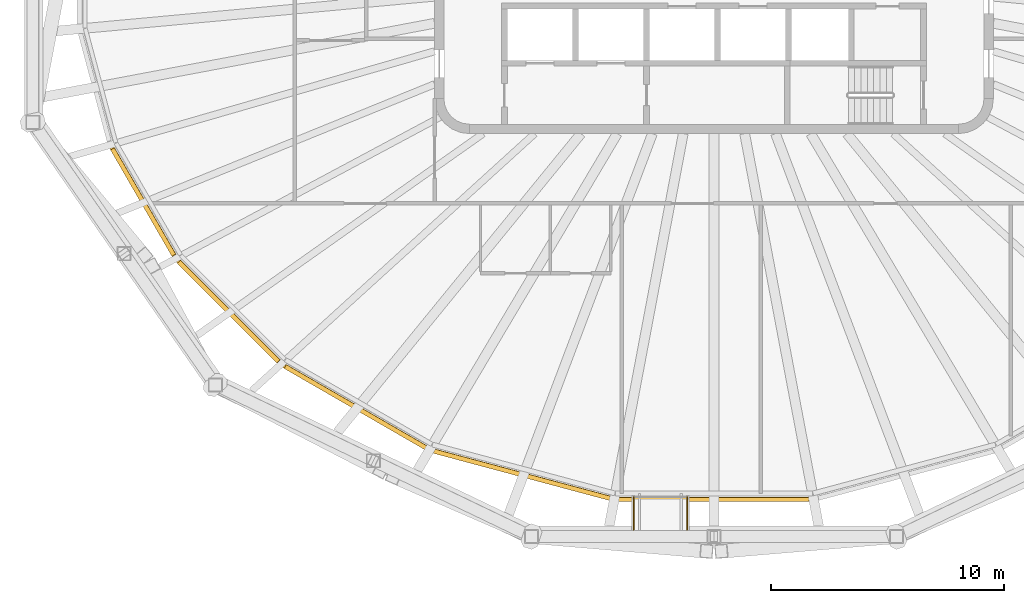
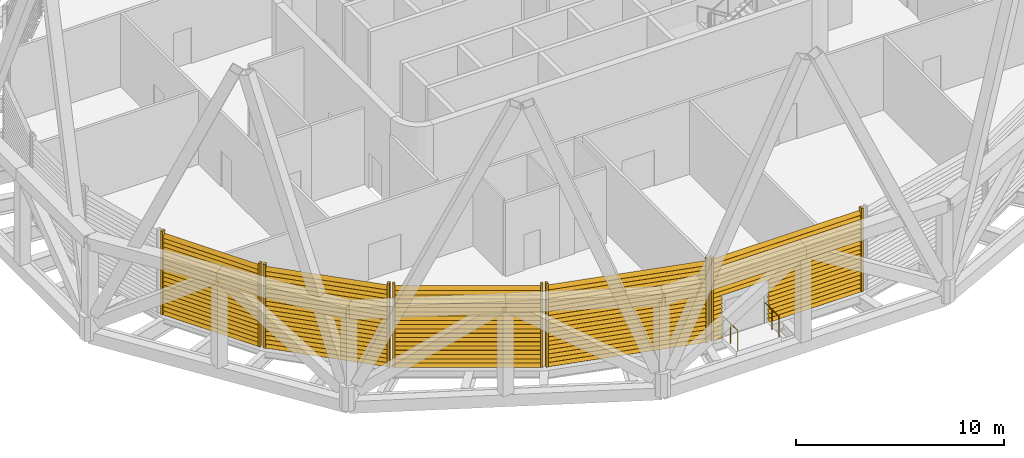
# One storey, part 11 of 16: 5 shading devices, 2 railings.
"""IFC4 building model written with IfcOpenShell, lengths in metres."""

from ifc_helpers import new_model, si_unit, direction, frame, origin, origin_2d, place, context, subcontext, project, spatial, rectangle, circle, extrude, material, type_object, element, save


model = new_model("IFC4")

# Units and contexts
model_context = context("Model", 3, precision=1e-05, world=origin(), true_north=direction((0.0, 1.0)))
body_context = subcontext(model_context, "Body", "Model", "MODEL_VIEW")
ifc_project = project(units=[si_unit("LENGTHUNIT", "METRE"), si_unit("AREAUNIT", "SQUARE_METRE"), si_unit("VOLUMEUNIT", "CUBIC_METRE"), si_unit("PLANEANGLEUNIT", "RADIAN"), si_unit("MASSUNIT", "GRAM", prefix="KILO")], contexts=[model_context])

# Site, building, storey
site_placement = place(None, origin())
site = spatial("IfcSite", under=ifc_project, at=site_placement, CompositionType="ELEMENT")
building_placement = place(site_placement, origin())
building = spatial("IfcBuilding", under=site, at=building_placement, Name="Sahrelin Media Tower", CompositionType="ELEMENT")
storey_placement = place(building_placement, frame((0.0, 0.0, 299.0)))
storey = spatial("IfcBuildingStorey", under=building, at=storey_placement, Name="L66", CompositionType="ELEMENT", Elevation=299.0)

# Railings
ifc_material_1 = material(Name="Stainless steel 316", Category="steel")
railing_type = type_object("IfcRailingType", Name="Maintenance platform guard", PredefinedType="GUARDRAIL", material=ifc_material_1)
for number, where, name in (
    (1, (-3.449951171875, -22.605224609375, 0.0), "Maintenance platform guard L66-18-A"),
    (2, (-1.14990234375, -22.605224609375, 0.0), "Maintenance platform guard L66-18-B"),
):
    element("IfcRailing", number, at=place(storey_placement, frame(where)), inside=storey, type_object=railing_type, Name=name, PredefinedType="GUARDRAIL", context=body_context, shape_type="SweptSolid", body=[
        extrude(circle(Radius=0.02392578125, at=origin_2d()), frame((0.0, 0.0, 1.17578125), z_axis=(0.0, -1.0, 0.0), x_axis=(1.0, 0.0, 0.0)), (0.0, 0.0, 1.0), 1.39794921875),
        extrude(circle(Radius=0.02099609375, at=origin_2d()), origin(), (0.0, 0.0, 1.0), 1.15185546875),
        extrude(circle(Radius=0.02099609375, at=origin_2d()), frame((0.0, -0.698974609375, 0.0)), (0.0, 0.0, 1.0), 1.15185546875),
        extrude(circle(Radius=0.02099609375, at=origin_2d()), frame((0.0, -1.39794921875, 0.0)), (0.0, 0.0, 1.0), 1.15185546875),
    ])

# Shading devices
ifc_material_2 = material(Name="Champagne anodised aluminium 6063-T6", Category="aluminium")
shading_device_type = type_object("IfcShadingDeviceType", Name="Sand-rejection louvre band", PredefinedType="USERDEFINED", material=ifc_material_2)
shading_device_1_placement = place(storey_placement, frame((-24.419677734375, -9.884033203125, 0.0), z_axis=(0.0, 0.0, 1.0), x_axis=(-0.500011000363, 0.866019052629, 0.0)))
element("IfcShadingDevice", 3, at=shading_device_1_placement, inside=storey, type_object=shading_device_type, Name="L66:LOUVRE:L66-14", ObjectType="LOUVRE", PredefinedType="USERDEFINED", context=body_context, shape_type="SweptSolid", body=[
    extrude(rectangle(XDim=0.1201171875, YDim=0.199951171875, at=origin_2d()), frame((2.69580078125, 0.10009765625, 0.050048828125), z_axis=(0.0, 0.0, 1.0), x_axis=(1.0, 0.0, 0.0)), (0.0, 0.0, 1.0), 4.8984375),
    extrude(rectangle(XDim=0.1201171875, YDim=0.199951171875, at=origin_2d()), frame((-2.69580078125, 0.10009765625, 0.050048828125), z_axis=(0.0, 0.0, 1.0), x_axis=(1.0, 0.0, 0.0)), (0.0, 0.0, 1.0), 4.8984375),
    extrude(rectangle(XDim=0.25, YDim=0.02001953125, at=origin_2d()), frame((2.6357421875, 0.10009765625, 0.14990234375), z_axis=(-1.0, 0.0, 0.0), x_axis=(0.0, -0.766044443119, 0.642787609687)), (0.0, 0.0, 1.0), 5.271484375),
    extrude(rectangle(XDim=0.25, YDim=0.02001953125, at=origin_2d()), frame((2.6357421875, 0.10009765625, 0.39990234375), z_axis=(-1.0, 0.0, 0.0), x_axis=(0.0, -0.766044443119, 0.642787609687)), (0.0, 0.0, 1.0), 5.271484375),
    extrude(rectangle(XDim=0.25, YDim=0.02001953125, at=origin_2d()), frame((2.6357421875, 0.10009765625, 0.64990234375), z_axis=(-1.0, 0.0, 0.0), x_axis=(0.0, -0.766044443119, 0.642787609687)), (0.0, 0.0, 1.0), 5.271484375),
    extrude(rectangle(XDim=0.25, YDim=0.02001953125, at=origin_2d()), frame((2.6357421875, 0.10009765625, 0.89990234375), z_axis=(-1.0, 0.0, 0.0), x_axis=(0.0, -0.766044443119, 0.642787609687)), (0.0, 0.0, 1.0), 5.271484375),
    extrude(rectangle(XDim=0.25, YDim=0.02001953125, at=origin_2d()), frame((2.6357421875, 0.10009765625, 1.14990234375), z_axis=(-1.0, 0.0, 0.0), x_axis=(0.0, -0.766044443119, 0.642787609687)), (0.0, 0.0, 1.0), 5.271484375),
    extrude(rectangle(XDim=0.25, YDim=0.02001953125, at=origin_2d()), frame((2.6357421875, 0.10009765625, 1.39990234375), z_axis=(-1.0, 0.0, 0.0), x_axis=(0.0, -0.766044443119, 0.642787609687)), (0.0, 0.0, 1.0), 5.271484375),
    extrude(rectangle(XDim=0.25, YDim=0.02001953125, at=origin_2d()), frame((2.6357421875, 0.10009765625, 1.64990234375), z_axis=(-1.0, 0.0, 0.0), x_axis=(0.0, -0.766044443119, 0.642787609687)), (0.0, 0.0, 1.0), 5.271484375),
    extrude(rectangle(XDim=0.25, YDim=0.02001953125, at=origin_2d()), frame((2.6357421875, 0.10009765625, 1.89990234375), z_axis=(-1.0, 0.0, 0.0), x_axis=(0.0, -0.766044443119, 0.642787609687)), (0.0, 0.0, 1.0), 5.271484375),
    extrude(rectangle(XDim=0.25, YDim=0.02001953125, at=origin_2d()), frame((2.6357421875, 0.10009765625, 2.14990234375), z_axis=(-1.0, 0.0, 0.0), x_axis=(0.0, -0.766044443119, 0.642787609687)), (0.0, 0.0, 1.0), 5.271484375),
    extrude(rectangle(XDim=0.25, YDim=0.02001953125, at=origin_2d()), frame((2.6357421875, 0.10009765625, 2.39990234375), z_axis=(-1.0, 0.0, 0.0), x_axis=(0.0, -0.766044443119, 0.642787609687)), (0.0, 0.0, 1.0), 5.271484375),
    extrude(rectangle(XDim=0.25, YDim=0.02001953125, at=origin_2d()), frame((2.6357421875, 0.10009765625, 2.64990234375), z_axis=(-1.0, 0.0, 0.0), x_axis=(0.0, -0.766044443119, 0.642787609687)), (0.0, 0.0, 1.0), 5.271484375),
    extrude(rectangle(XDim=0.25, YDim=0.02001953125, at=origin_2d()), frame((2.6357421875, 0.10009765625, 2.89990234375), z_axis=(-1.0, 0.0, 0.0), x_axis=(0.0, -0.766044443119, 0.642787609687)), (0.0, 0.0, 1.0), 5.271484375),
    extrude(rectangle(XDim=0.25, YDim=0.02001953125, at=origin_2d()), frame((2.6357421875, 0.10009765625, 3.14990234375), z_axis=(-1.0, 0.0, 0.0), x_axis=(0.0, -0.766044443119, 0.642787609687)), (0.0, 0.0, 1.0), 5.271484375),
    extrude(rectangle(XDim=0.25, YDim=0.02001953125, at=origin_2d()), frame((2.6357421875, 0.10009765625, 3.39990234375), z_axis=(-1.0, 0.0, 0.0), x_axis=(0.0, -0.766044443119, 0.642787609687)), (0.0, 0.0, 1.0), 5.271484375),
    extrude(rectangle(XDim=0.25, YDim=0.02001953125, at=origin_2d()), frame((2.6357421875, 0.10009765625, 3.64990234375), z_axis=(-1.0, 0.0, 0.0), x_axis=(0.0, -0.766044443119, 0.642787609687)), (0.0, 0.0, 1.0), 5.271484375),
    extrude(rectangle(XDim=0.25, YDim=0.02001953125, at=origin_2d()), frame((2.6357421875, 0.10009765625, 3.89990234375), z_axis=(-1.0, 0.0, 0.0), x_axis=(0.0, -0.766044443119, 0.642787609687)), (0.0, 0.0, 1.0), 5.271484375),
    extrude(rectangle(XDim=0.25, YDim=0.02001953125, at=origin_2d()), frame((2.6357421875, 0.10009765625, 4.14990234375), z_axis=(-1.0, 0.0, 0.0), x_axis=(0.0, -0.766044443119, 0.642787609687)), (0.0, 0.0, 1.0), 5.271484375),
    extrude(rectangle(XDim=0.25, YDim=0.02001953125, at=origin_2d()), frame((2.6357421875, 0.10009765625, 4.39990234375), z_axis=(-1.0, 0.0, 0.0), x_axis=(0.0, -0.766044443119, 0.642787609687)), (0.0, 0.0, 1.0), 5.271484375),
    extrude(rectangle(XDim=0.25, YDim=0.02001953125, at=origin_2d()), frame((2.6357421875, 0.10009765625, 4.64990234375), z_axis=(-1.0, 0.0, 0.0), x_axis=(0.0, -0.766044443119, 0.642787609687)), (0.0, 0.0, 1.0), 5.271484375),
])
shading_device_2_placement = place(storey_placement, frame((-20.76123046875, -14.5693359375, 0.0), z_axis=(0.0, 0.0, 1.0), x_axis=(-0.707106781187, 0.707106781187, 0.0)))
element("IfcShadingDevice", 4, at=shading_device_2_placement, inside=storey, type_object=shading_device_type, Name="L66:LOUVRE:L66-15", ObjectType="LOUVRE", PredefinedType="USERDEFINED", context=body_context, shape_type="SweptSolid", body=[
    extrude(rectangle(XDim=0.1201171875, YDim=0.199951171875, at=origin_2d()), frame((3.07958984375, 0.10009765625, 0.050048828125), z_axis=(0.0, 0.0, 1.0), x_axis=(1.0, 0.0, 0.0)), (0.0, 0.0, 1.0), 4.8984375),
    extrude(rectangle(XDim=0.1201171875, YDim=0.199951171875, at=origin_2d()), frame((-3.07958984375, 0.10009765625, 0.050048828125), z_axis=(0.0, 0.0, 1.0), x_axis=(1.0, 0.0, 0.0)), (0.0, 0.0, 1.0), 4.8984375),
    extrude(rectangle(XDim=0.25, YDim=0.02001953125, at=origin_2d()), frame((3.019775390625, 0.10009765625, 0.14990234375), z_axis=(-1.0, 0.0, 0.0), x_axis=(0.0, -0.766044443119, 0.642787609687)), (0.0, 0.0, 1.0), 6.03955078125),
    extrude(rectangle(XDim=0.25, YDim=0.02001953125, at=origin_2d()), frame((3.019775390625, 0.10009765625, 0.39990234375), z_axis=(-1.0, 0.0, 0.0), x_axis=(0.0, -0.766044443119, 0.642787609687)), (0.0, 0.0, 1.0), 6.03955078125),
    extrude(rectangle(XDim=0.25, YDim=0.02001953125, at=origin_2d()), frame((3.019775390625, 0.10009765625, 0.64990234375), z_axis=(-1.0, 0.0, 0.0), x_axis=(0.0, -0.766044443119, 0.642787609687)), (0.0, 0.0, 1.0), 6.03955078125),
    extrude(rectangle(XDim=0.25, YDim=0.02001953125, at=origin_2d()), frame((3.019775390625, 0.10009765625, 0.89990234375), z_axis=(-1.0, 0.0, 0.0), x_axis=(0.0, -0.766044443119, 0.642787609687)), (0.0, 0.0, 1.0), 6.03955078125),
    extrude(rectangle(XDim=0.25, YDim=0.02001953125, at=origin_2d()), frame((3.019775390625, 0.10009765625, 1.14990234375), z_axis=(-1.0, 0.0, 0.0), x_axis=(0.0, -0.766044443119, 0.642787609687)), (0.0, 0.0, 1.0), 6.03955078125),
    extrude(rectangle(XDim=0.25, YDim=0.02001953125, at=origin_2d()), frame((3.019775390625, 0.10009765625, 1.39990234375), z_axis=(-1.0, 0.0, 0.0), x_axis=(0.0, -0.766044443119, 0.642787609687)), (0.0, 0.0, 1.0), 6.03955078125),
    extrude(rectangle(XDim=0.25, YDim=0.02001953125, at=origin_2d()), frame((3.019775390625, 0.10009765625, 1.64990234375), z_axis=(-1.0, 0.0, 0.0), x_axis=(0.0, -0.766044443119, 0.642787609687)), (0.0, 0.0, 1.0), 6.03955078125),
    extrude(rectangle(XDim=0.25, YDim=0.02001953125, at=origin_2d()), frame((3.019775390625, 0.10009765625, 1.89990234375), z_axis=(-1.0, 0.0, 0.0), x_axis=(0.0, -0.766044443119, 0.642787609687)), (0.0, 0.0, 1.0), 6.03955078125),
    extrude(rectangle(XDim=0.25, YDim=0.02001953125, at=origin_2d()), frame((3.019775390625, 0.10009765625, 2.14990234375), z_axis=(-1.0, 0.0, 0.0), x_axis=(0.0, -0.766044443119, 0.642787609687)), (0.0, 0.0, 1.0), 6.03955078125),
    extrude(rectangle(XDim=0.25, YDim=0.02001953125, at=origin_2d()), frame((3.019775390625, 0.10009765625, 2.39990234375), z_axis=(-1.0, 0.0, 0.0), x_axis=(0.0, -0.766044443119, 0.642787609687)), (0.0, 0.0, 1.0), 6.03955078125),
    extrude(rectangle(XDim=0.25, YDim=0.02001953125, at=origin_2d()), frame((3.019775390625, 0.10009765625, 2.64990234375), z_axis=(-1.0, 0.0, 0.0), x_axis=(0.0, -0.766044443119, 0.642787609687)), (0.0, 0.0, 1.0), 6.03955078125),
    extrude(rectangle(XDim=0.25, YDim=0.02001953125, at=origin_2d()), frame((3.019775390625, 0.10009765625, 2.89990234375), z_axis=(-1.0, 0.0, 0.0), x_axis=(0.0, -0.766044443119, 0.642787609687)), (0.0, 0.0, 1.0), 6.03955078125),
    extrude(rectangle(XDim=0.25, YDim=0.02001953125, at=origin_2d()), frame((3.019775390625, 0.10009765625, 3.14990234375), z_axis=(-1.0, 0.0, 0.0), x_axis=(0.0, -0.766044443119, 0.642787609687)), (0.0, 0.0, 1.0), 6.03955078125),
    extrude(rectangle(XDim=0.25, YDim=0.02001953125, at=origin_2d()), frame((3.019775390625, 0.10009765625, 3.39990234375), z_axis=(-1.0, 0.0, 0.0), x_axis=(0.0, -0.766044443119, 0.642787609687)), (0.0, 0.0, 1.0), 6.03955078125),
    extrude(rectangle(XDim=0.25, YDim=0.02001953125, at=origin_2d()), frame((3.019775390625, 0.10009765625, 3.64990234375), z_axis=(-1.0, 0.0, 0.0), x_axis=(0.0, -0.766044443119, 0.642787609687)), (0.0, 0.0, 1.0), 6.03955078125),
    extrude(rectangle(XDim=0.25, YDim=0.02001953125, at=origin_2d()), frame((3.019775390625, 0.10009765625, 3.89990234375), z_axis=(-1.0, 0.0, 0.0), x_axis=(0.0, -0.766044443119, 0.642787609687)), (0.0, 0.0, 1.0), 6.03955078125),
    extrude(rectangle(XDim=0.25, YDim=0.02001953125, at=origin_2d()), frame((3.019775390625, 0.10009765625, 4.14990234375), z_axis=(-1.0, 0.0, 0.0), x_axis=(0.0, -0.766044443119, 0.642787609687)), (0.0, 0.0, 1.0), 6.03955078125),
    extrude(rectangle(XDim=0.25, YDim=0.02001953125, at=origin_2d()), frame((3.019775390625, 0.10009765625, 4.39990234375), z_axis=(-1.0, 0.0, 0.0), x_axis=(0.0, -0.766044443119, 0.642787609687)), (0.0, 0.0, 1.0), 6.03955078125),
    extrude(rectangle(XDim=0.25, YDim=0.02001953125, at=origin_2d()), frame((3.019775390625, 0.10009765625, 4.64990234375), z_axis=(-1.0, 0.0, 0.0), x_axis=(0.0, -0.766044443119, 0.642787609687)), (0.0, 0.0, 1.0), 6.03955078125),
])
shading_device_3_placement = place(storey_placement, frame((-15.332275390625, -18.656982421875, 0.0), z_axis=(0.0, 0.0, 1.0), x_axis=(-0.866019052629, 0.500011000363, 0.0)))
element("IfcShadingDevice", 5, at=shading_device_3_placement, inside=storey, type_object=shading_device_type, Name="L66:LOUVRE:L66-16", ObjectType="LOUVRE", PredefinedType="USERDEFINED", context=body_context, shape_type="SweptSolid", body=[
    extrude(rectangle(XDim=0.1201171875, YDim=0.199951171875, at=origin_2d()), frame((3.5546875, 0.10009765625, 0.050048828125), z_axis=(0.0, 0.0, 1.0), x_axis=(1.0, 0.0, 0.0)), (0.0, 0.0, 1.0), 4.8984375),
    extrude(rectangle(XDim=0.1201171875, YDim=0.199951171875, at=origin_2d()), frame((-3.5546875, 0.10009765625, 0.050048828125), z_axis=(0.0, 0.0, 1.0), x_axis=(1.0, 0.0, 0.0)), (0.0, 0.0, 1.0), 4.8984375),
    extrude(rectangle(XDim=0.25, YDim=0.02001953125, at=origin_2d()), frame((3.49462890625, 0.10009765625, 0.14990234375), z_axis=(-1.0, 0.0, 0.0), x_axis=(0.0, -0.766044443119, 0.642787609687)), (0.0, 0.0, 1.0), 6.9892578125),
    extrude(rectangle(XDim=0.25, YDim=0.02001953125, at=origin_2d()), frame((3.49462890625, 0.10009765625, 0.39990234375), z_axis=(-1.0, 0.0, 0.0), x_axis=(0.0, -0.766044443119, 0.642787609687)), (0.0, 0.0, 1.0), 6.9892578125),
    extrude(rectangle(XDim=0.25, YDim=0.02001953125, at=origin_2d()), frame((3.49462890625, 0.10009765625, 0.64990234375), z_axis=(-1.0, 0.0, 0.0), x_axis=(0.0, -0.766044443119, 0.642787609687)), (0.0, 0.0, 1.0), 6.9892578125),
    extrude(rectangle(XDim=0.25, YDim=0.02001953125, at=origin_2d()), frame((3.49462890625, 0.10009765625, 0.89990234375), z_axis=(-1.0, 0.0, 0.0), x_axis=(0.0, -0.766044443119, 0.642787609687)), (0.0, 0.0, 1.0), 6.9892578125),
    extrude(rectangle(XDim=0.25, YDim=0.02001953125, at=origin_2d()), frame((3.49462890625, 0.10009765625, 1.14990234375), z_axis=(-1.0, 0.0, 0.0), x_axis=(0.0, -0.766044443119, 0.642787609687)), (0.0, 0.0, 1.0), 6.9892578125),
    extrude(rectangle(XDim=0.25, YDim=0.02001953125, at=origin_2d()), frame((3.49462890625, 0.10009765625, 1.39990234375), z_axis=(-1.0, 0.0, 0.0), x_axis=(0.0, -0.766044443119, 0.642787609687)), (0.0, 0.0, 1.0), 6.9892578125),
    extrude(rectangle(XDim=0.25, YDim=0.02001953125, at=origin_2d()), frame((3.49462890625, 0.10009765625, 1.64990234375), z_axis=(-1.0, 0.0, 0.0), x_axis=(0.0, -0.766044443119, 0.642787609687)), (0.0, 0.0, 1.0), 6.9892578125),
    extrude(rectangle(XDim=0.25, YDim=0.02001953125, at=origin_2d()), frame((3.49462890625, 0.10009765625, 1.89990234375), z_axis=(-1.0, 0.0, 0.0), x_axis=(0.0, -0.766044443119, 0.642787609687)), (0.0, 0.0, 1.0), 6.9892578125),
    extrude(rectangle(XDim=0.25, YDim=0.02001953125, at=origin_2d()), frame((3.49462890625, 0.10009765625, 2.14990234375), z_axis=(-1.0, 0.0, 0.0), x_axis=(0.0, -0.766044443119, 0.642787609687)), (0.0, 0.0, 1.0), 6.9892578125),
    extrude(rectangle(XDim=0.25, YDim=0.02001953125, at=origin_2d()), frame((3.49462890625, 0.10009765625, 2.39990234375), z_axis=(-1.0, 0.0, 0.0), x_axis=(0.0, -0.766044443119, 0.642787609687)), (0.0, 0.0, 1.0), 6.9892578125),
    extrude(rectangle(XDim=0.25, YDim=0.02001953125, at=origin_2d()), frame((3.49462890625, 0.10009765625, 2.64990234375), z_axis=(-1.0, 0.0, 0.0), x_axis=(0.0, -0.766044443119, 0.642787609687)), (0.0, 0.0, 1.0), 6.9892578125),
    extrude(rectangle(XDim=0.25, YDim=0.02001953125, at=origin_2d()), frame((3.49462890625, 0.10009765625, 2.89990234375), z_axis=(-1.0, 0.0, 0.0), x_axis=(0.0, -0.766044443119, 0.642787609687)), (0.0, 0.0, 1.0), 6.9892578125),
    extrude(rectangle(XDim=0.25, YDim=0.02001953125, at=origin_2d()), frame((3.49462890625, 0.10009765625, 3.14990234375), z_axis=(-1.0, 0.0, 0.0), x_axis=(0.0, -0.766044443119, 0.642787609687)), (0.0, 0.0, 1.0), 6.9892578125),
    extrude(rectangle(XDim=0.25, YDim=0.02001953125, at=origin_2d()), frame((3.49462890625, 0.10009765625, 3.39990234375), z_axis=(-1.0, 0.0, 0.0), x_axis=(0.0, -0.766044443119, 0.642787609687)), (0.0, 0.0, 1.0), 6.9892578125),
    extrude(rectangle(XDim=0.25, YDim=0.02001953125, at=origin_2d()), frame((3.49462890625, 0.10009765625, 3.64990234375), z_axis=(-1.0, 0.0, 0.0), x_axis=(0.0, -0.766044443119, 0.642787609687)), (0.0, 0.0, 1.0), 6.9892578125),
    extrude(rectangle(XDim=0.25, YDim=0.02001953125, at=origin_2d()), frame((3.49462890625, 0.10009765625, 3.89990234375), z_axis=(-1.0, 0.0, 0.0), x_axis=(0.0, -0.766044443119, 0.642787609687)), (0.0, 0.0, 1.0), 6.9892578125),
    extrude(rectangle(XDim=0.25, YDim=0.02001953125, at=origin_2d()), frame((3.49462890625, 0.10009765625, 4.14990234375), z_axis=(-1.0, 0.0, 0.0), x_axis=(0.0, -0.766044443119, 0.642787609687)), (0.0, 0.0, 1.0), 6.9892578125),
    extrude(rectangle(XDim=0.25, YDim=0.02001953125, at=origin_2d()), frame((3.49462890625, 0.10009765625, 4.39990234375), z_axis=(-1.0, 0.0, 0.0), x_axis=(0.0, -0.766044443119, 0.642787609687)), (0.0, 0.0, 1.0), 6.9892578125),
    extrude(rectangle(XDim=0.25, YDim=0.02001953125, at=origin_2d()), frame((3.49462890625, 0.10009765625, 4.64990234375), z_axis=(-1.0, 0.0, 0.0), x_axis=(0.0, -0.766044443119, 0.642787609687)), (0.0, 0.0, 1.0), 6.9892578125),
])
shading_device_4_placement = place(storey_placement, frame((-8.210205078125, -21.54736328125, 0.0), z_axis=(0.0, 0.0, 1.0), x_axis=(-0.965928857556, 0.258807731996, 0.0)))
element("IfcShadingDevice", 6, at=shading_device_4_placement, inside=storey, type_object=shading_device_type, Name="L66:LOUVRE:L66-17", ObjectType="LOUVRE", PredefinedType="USERDEFINED", context=body_context, shape_type="SweptSolid", body=[
    extrude(rectangle(XDim=0.1201171875, YDim=0.199951171875, at=origin_2d()), frame((3.9775390625, 0.10009765625, 0.050048828125), z_axis=(0.0, 0.0, 1.0), x_axis=(1.0, 0.0, 0.0)), (0.0, 0.0, 1.0), 4.8984375),
    extrude(rectangle(XDim=0.1201171875, YDim=0.199951171875, at=origin_2d()), frame((-3.9775390625, 0.10009765625, 0.050048828125), z_axis=(0.0, 0.0, 1.0), x_axis=(1.0, 0.0, 0.0)), (0.0, 0.0, 1.0), 4.8984375),
    extrude(rectangle(XDim=0.25, YDim=0.02001953125, at=origin_2d()), frame((3.91748046875, 0.10009765625, 0.14990234375), z_axis=(-1.0, 0.0, 0.0), x_axis=(0.0, -0.766044443119, 0.642787609687)), (0.0, 0.0, 1.0), 7.8349609375),
    extrude(rectangle(XDim=0.25, YDim=0.02001953125, at=origin_2d()), frame((3.91748046875, 0.10009765625, 0.39990234375), z_axis=(-1.0, 0.0, 0.0), x_axis=(0.0, -0.766044443119, 0.642787609687)), (0.0, 0.0, 1.0), 7.8349609375),
    extrude(rectangle(XDim=0.25, YDim=0.02001953125, at=origin_2d()), frame((3.91748046875, 0.10009765625, 0.64990234375), z_axis=(-1.0, 0.0, 0.0), x_axis=(0.0, -0.766044443119, 0.642787609687)), (0.0, 0.0, 1.0), 7.8349609375),
    extrude(rectangle(XDim=0.25, YDim=0.02001953125, at=origin_2d()), frame((3.91748046875, 0.10009765625, 0.89990234375), z_axis=(-1.0, 0.0, 0.0), x_axis=(0.0, -0.766044443119, 0.642787609687)), (0.0, 0.0, 1.0), 7.8349609375),
    extrude(rectangle(XDim=0.25, YDim=0.02001953125, at=origin_2d()), frame((3.91748046875, 0.10009765625, 1.14990234375), z_axis=(-1.0, 0.0, 0.0), x_axis=(0.0, -0.766044443119, 0.642787609687)), (0.0, 0.0, 1.0), 7.8349609375),
    extrude(rectangle(XDim=0.25, YDim=0.02001953125, at=origin_2d()), frame((3.91748046875, 0.10009765625, 1.39990234375), z_axis=(-1.0, 0.0, 0.0), x_axis=(0.0, -0.766044443119, 0.642787609687)), (0.0, 0.0, 1.0), 7.8349609375),
    extrude(rectangle(XDim=0.25, YDim=0.02001953125, at=origin_2d()), frame((3.91748046875, 0.10009765625, 1.64990234375), z_axis=(-1.0, 0.0, 0.0), x_axis=(0.0, -0.766044443119, 0.642787609687)), (0.0, 0.0, 1.0), 7.8349609375),
    extrude(rectangle(XDim=0.25, YDim=0.02001953125, at=origin_2d()), frame((3.91748046875, 0.10009765625, 1.89990234375), z_axis=(-1.0, 0.0, 0.0), x_axis=(0.0, -0.766044443119, 0.642787609687)), (0.0, 0.0, 1.0), 7.8349609375),
    extrude(rectangle(XDim=0.25, YDim=0.02001953125, at=origin_2d()), frame((3.91748046875, 0.10009765625, 2.14990234375), z_axis=(-1.0, 0.0, 0.0), x_axis=(0.0, -0.766044443119, 0.642787609687)), (0.0, 0.0, 1.0), 7.8349609375),
    extrude(rectangle(XDim=0.25, YDim=0.02001953125, at=origin_2d()), frame((3.91748046875, 0.10009765625, 2.39990234375), z_axis=(-1.0, 0.0, 0.0), x_axis=(0.0, -0.766044443119, 0.642787609687)), (0.0, 0.0, 1.0), 7.8349609375),
    extrude(rectangle(XDim=0.25, YDim=0.02001953125, at=origin_2d()), frame((3.91748046875, 0.10009765625, 2.64990234375), z_axis=(-1.0, 0.0, 0.0), x_axis=(0.0, -0.766044443119, 0.642787609687)), (0.0, 0.0, 1.0), 7.8349609375),
    extrude(rectangle(XDim=0.25, YDim=0.02001953125, at=origin_2d()), frame((3.91748046875, 0.10009765625, 2.89990234375), z_axis=(-1.0, 0.0, 0.0), x_axis=(0.0, -0.766044443119, 0.642787609687)), (0.0, 0.0, 1.0), 7.8349609375),
    extrude(rectangle(XDim=0.25, YDim=0.02001953125, at=origin_2d()), frame((3.91748046875, 0.10009765625, 3.14990234375), z_axis=(-1.0, 0.0, 0.0), x_axis=(0.0, -0.766044443119, 0.642787609687)), (0.0, 0.0, 1.0), 7.8349609375),
    extrude(rectangle(XDim=0.25, YDim=0.02001953125, at=origin_2d()), frame((3.91748046875, 0.10009765625, 3.39990234375), z_axis=(-1.0, 0.0, 0.0), x_axis=(0.0, -0.766044443119, 0.642787609687)), (0.0, 0.0, 1.0), 7.8349609375),
    extrude(rectangle(XDim=0.25, YDim=0.02001953125, at=origin_2d()), frame((3.91748046875, 0.10009765625, 3.64990234375), z_axis=(-1.0, 0.0, 0.0), x_axis=(0.0, -0.766044443119, 0.642787609687)), (0.0, 0.0, 1.0), 7.8349609375),
    extrude(rectangle(XDim=0.25, YDim=0.02001953125, at=origin_2d()), frame((3.91748046875, 0.10009765625, 3.89990234375), z_axis=(-1.0, 0.0, 0.0), x_axis=(0.0, -0.766044443119, 0.642787609687)), (0.0, 0.0, 1.0), 7.8349609375),
    extrude(rectangle(XDim=0.25, YDim=0.02001953125, at=origin_2d()), frame((3.91748046875, 0.10009765625, 4.14990234375), z_axis=(-1.0, 0.0, 0.0), x_axis=(0.0, -0.766044443119, 0.642787609687)), (0.0, 0.0, 1.0), 7.8349609375),
    extrude(rectangle(XDim=0.25, YDim=0.02001953125, at=origin_2d()), frame((3.91748046875, 0.10009765625, 4.39990234375), z_axis=(-1.0, 0.0, 0.0), x_axis=(0.0, -0.766044443119, 0.642787609687)), (0.0, 0.0, 1.0), 7.8349609375),
    extrude(rectangle(XDim=0.25, YDim=0.02001953125, at=origin_2d()), frame((3.91748046875, 0.10009765625, 4.64990234375), z_axis=(-1.0, 0.0, 0.0), x_axis=(0.0, -0.766044443119, 0.642787609687)), (0.0, 0.0, 1.0), 7.8349609375),
])
shading_device_5_placement = place(storey_placement, frame((0.0, -22.605224609375, 0.0), z_axis=(0.0, 0.0, 1.0), x_axis=(-1.0, 0.0, 0.0)))
element("IfcShadingDevice", 7, at=shading_device_5_placement, inside=storey, type_object=shading_device_type, Name="L66:LOUVRE:L66-18", ObjectType="LOUVRE", PredefinedType="USERDEFINED", context=body_context, shape_type="SweptSolid", body=[
    extrude(rectangle(XDim=0.1201171875, YDim=0.199951171875, at=origin_2d()), frame((4.15185546875, 0.10009765625, 0.050048828125), z_axis=(0.0, 0.0, 1.0), x_axis=(1.0, 0.0, 0.0)), (0.0, 0.0, 1.0), 4.8984375),
    extrude(rectangle(XDim=0.1201171875, YDim=0.199951171875, at=origin_2d()), frame((-4.15185546875, 0.10009765625, 0.050048828125), z_axis=(0.0, 0.0, 1.0), x_axis=(1.0, 0.0, 0.0)), (0.0, 0.0, 1.0), 4.8984375),
    extrude(rectangle(XDim=0.25, YDim=0.02001953125, at=origin_2d()), frame((4.091796875, 0.10009765625, 0.14990234375), z_axis=(-1.0, 0.0, 0.0), x_axis=(0.0, -0.766044443119, 0.642787609687)), (0.0, 0.0, 1.0), 0.49169921875),
    extrude(rectangle(XDim=0.25, YDim=0.02001953125, at=origin_2d()), frame((1.0, 0.10009765625, 0.14990234375), z_axis=(-1.0, 0.0, 0.0), x_axis=(0.0, -0.766044443119, 0.642787609687)), (0.0, 0.0, 1.0), 5.091796875),
    extrude(rectangle(XDim=0.25, YDim=0.02001953125, at=origin_2d()), frame((4.091796875, 0.10009765625, 0.39990234375), z_axis=(-1.0, 0.0, 0.0), x_axis=(0.0, -0.766044443119, 0.642787609687)), (0.0, 0.0, 1.0), 0.49169921875),
    extrude(rectangle(XDim=0.25, YDim=0.02001953125, at=origin_2d()), frame((1.0, 0.10009765625, 0.39990234375), z_axis=(-1.0, 0.0, 0.0), x_axis=(0.0, -0.766044443119, 0.642787609687)), (0.0, 0.0, 1.0), 5.091796875),
    extrude(rectangle(XDim=0.25, YDim=0.02001953125, at=origin_2d()), frame((4.091796875, 0.10009765625, 0.64990234375), z_axis=(-1.0, 0.0, 0.0), x_axis=(0.0, -0.766044443119, 0.642787609687)), (0.0, 0.0, 1.0), 0.49169921875),
    extrude(rectangle(XDim=0.25, YDim=0.02001953125, at=origin_2d()), frame((1.0, 0.10009765625, 0.64990234375), z_axis=(-1.0, 0.0, 0.0), x_axis=(0.0, -0.766044443119, 0.642787609687)), (0.0, 0.0, 1.0), 5.091796875),
    extrude(rectangle(XDim=0.25, YDim=0.02001953125, at=origin_2d()), frame((4.091796875, 0.10009765625, 0.89990234375), z_axis=(-1.0, 0.0, 0.0), x_axis=(0.0, -0.766044443119, 0.642787609687)), (0.0, 0.0, 1.0), 0.49169921875),
    extrude(rectangle(XDim=0.25, YDim=0.02001953125, at=origin_2d()), frame((1.0, 0.10009765625, 0.89990234375), z_axis=(-1.0, 0.0, 0.0), x_axis=(0.0, -0.766044443119, 0.642787609687)), (0.0, 0.0, 1.0), 5.091796875),
    extrude(rectangle(XDim=0.25, YDim=0.02001953125, at=origin_2d()), frame((4.091796875, 0.10009765625, 1.14990234375), z_axis=(-1.0, 0.0, 0.0), x_axis=(0.0, -0.766044443119, 0.642787609687)), (0.0, 0.0, 1.0), 0.49169921875),
    extrude(rectangle(XDim=0.25, YDim=0.02001953125, at=origin_2d()), frame((1.0, 0.10009765625, 1.14990234375), z_axis=(-1.0, 0.0, 0.0), x_axis=(0.0, -0.766044443119, 0.642787609687)), (0.0, 0.0, 1.0), 5.091796875),
    extrude(rectangle(XDim=0.25, YDim=0.02001953125, at=origin_2d()), frame((4.091796875, 0.10009765625, 1.39990234375), z_axis=(-1.0, 0.0, 0.0), x_axis=(0.0, -0.766044443119, 0.642787609687)), (0.0, 0.0, 1.0), 0.49169921875),
    extrude(rectangle(XDim=0.25, YDim=0.02001953125, at=origin_2d()), frame((1.0, 0.10009765625, 1.39990234375), z_axis=(-1.0, 0.0, 0.0), x_axis=(0.0, -0.766044443119, 0.642787609687)), (0.0, 0.0, 1.0), 5.091796875),
    extrude(rectangle(XDim=0.25, YDim=0.02001953125, at=origin_2d()), frame((4.091796875, 0.10009765625, 1.64990234375), z_axis=(-1.0, 0.0, 0.0), x_axis=(0.0, -0.766044443119, 0.642787609687)), (0.0, 0.0, 1.0), 0.49169921875),
    extrude(rectangle(XDim=0.25, YDim=0.02001953125, at=origin_2d()), frame((1.0, 0.10009765625, 1.64990234375), z_axis=(-1.0, 0.0, 0.0), x_axis=(0.0, -0.766044443119, 0.642787609687)), (0.0, 0.0, 1.0), 5.091796875),
    extrude(rectangle(XDim=0.25, YDim=0.02001953125, at=origin_2d()), frame((4.091796875, 0.10009765625, 1.89990234375), z_axis=(-1.0, 0.0, 0.0), x_axis=(0.0, -0.766044443119, 0.642787609687)), (0.0, 0.0, 1.0), 0.49169921875),
    extrude(rectangle(XDim=0.25, YDim=0.02001953125, at=origin_2d()), frame((1.0, 0.10009765625, 1.89990234375), z_axis=(-1.0, 0.0, 0.0), x_axis=(0.0, -0.766044443119, 0.642787609687)), (0.0, 0.0, 1.0), 5.091796875),
    extrude(rectangle(XDim=0.25, YDim=0.02001953125, at=origin_2d()), frame((4.091796875, 0.10009765625, 2.14990234375), z_axis=(-1.0, 0.0, 0.0), x_axis=(0.0, -0.766044443119, 0.642787609687)), (0.0, 0.0, 1.0), 0.49169921875),
    extrude(rectangle(XDim=0.25, YDim=0.02001953125, at=origin_2d()), frame((1.0, 0.10009765625, 2.14990234375), z_axis=(-1.0, 0.0, 0.0), x_axis=(0.0, -0.766044443119, 0.642787609687)), (0.0, 0.0, 1.0), 5.091796875),
    extrude(rectangle(XDim=0.25, YDim=0.02001953125, at=origin_2d()), frame((4.091796875, 0.10009765625, 2.39990234375), z_axis=(-1.0, 0.0, 0.0), x_axis=(0.0, -0.766044443119, 0.642787609687)), (0.0, 0.0, 1.0), 0.49169921875),
    extrude(rectangle(XDim=0.25, YDim=0.02001953125, at=origin_2d()), frame((1.0, 0.10009765625, 2.39990234375), z_axis=(-1.0, 0.0, 0.0), x_axis=(0.0, -0.766044443119, 0.642787609687)), (0.0, 0.0, 1.0), 5.091796875),
    extrude(rectangle(XDim=0.25, YDim=0.02001953125, at=origin_2d()), frame((4.091796875, 0.10009765625, 2.64990234375), z_axis=(-1.0, 0.0, 0.0), x_axis=(0.0, -0.766044443119, 0.642787609687)), (0.0, 0.0, 1.0), 8.18359375),
    extrude(rectangle(XDim=0.25, YDim=0.02001953125, at=origin_2d()), frame((4.091796875, 0.10009765625, 2.89990234375), z_axis=(-1.0, 0.0, 0.0), x_axis=(0.0, -0.766044443119, 0.642787609687)), (0.0, 0.0, 1.0), 8.18359375),
    extrude(rectangle(XDim=0.25, YDim=0.02001953125, at=origin_2d()), frame((4.091796875, 0.10009765625, 3.14990234375), z_axis=(-1.0, 0.0, 0.0), x_axis=(0.0, -0.766044443119, 0.642787609687)), (0.0, 0.0, 1.0), 8.18359375),
    extrude(rectangle(XDim=0.25, YDim=0.02001953125, at=origin_2d()), frame((4.091796875, 0.10009765625, 3.39990234375), z_axis=(-1.0, 0.0, 0.0), x_axis=(0.0, -0.766044443119, 0.642787609687)), (0.0, 0.0, 1.0), 8.18359375),
    extrude(rectangle(XDim=0.25, YDim=0.02001953125, at=origin_2d()), frame((4.091796875, 0.10009765625, 3.64990234375), z_axis=(-1.0, 0.0, 0.0), x_axis=(0.0, -0.766044443119, 0.642787609687)), (0.0, 0.0, 1.0), 8.18359375),
    extrude(rectangle(XDim=0.25, YDim=0.02001953125, at=origin_2d()), frame((4.091796875, 0.10009765625, 3.89990234375), z_axis=(-1.0, 0.0, 0.0), x_axis=(0.0, -0.766044443119, 0.642787609687)), (0.0, 0.0, 1.0), 8.18359375),
    extrude(rectangle(XDim=0.25, YDim=0.02001953125, at=origin_2d()), frame((4.091796875, 0.10009765625, 4.14990234375), z_axis=(-1.0, 0.0, 0.0), x_axis=(0.0, -0.766044443119, 0.642787609687)), (0.0, 0.0, 1.0), 8.18359375),
    extrude(rectangle(XDim=0.25, YDim=0.02001953125, at=origin_2d()), frame((4.091796875, 0.10009765625, 4.39990234375), z_axis=(-1.0, 0.0, 0.0), x_axis=(0.0, -0.766044443119, 0.642787609687)), (0.0, 0.0, 1.0), 8.18359375),
    extrude(rectangle(XDim=0.25, YDim=0.02001953125, at=origin_2d()), frame((4.091796875, 0.10009765625, 4.64990234375), z_axis=(-1.0, 0.0, 0.0), x_axis=(0.0, -0.766044443119, 0.642787609687)), (0.0, 0.0, 1.0), 8.18359375),
])

save(model, "model.ifc")
